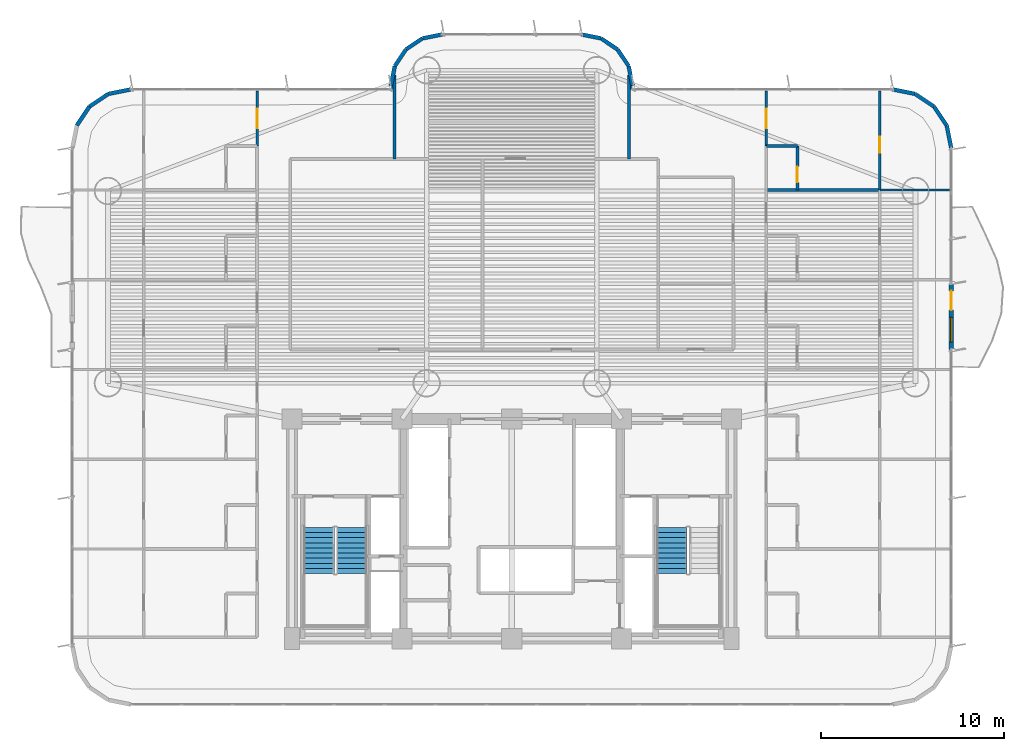
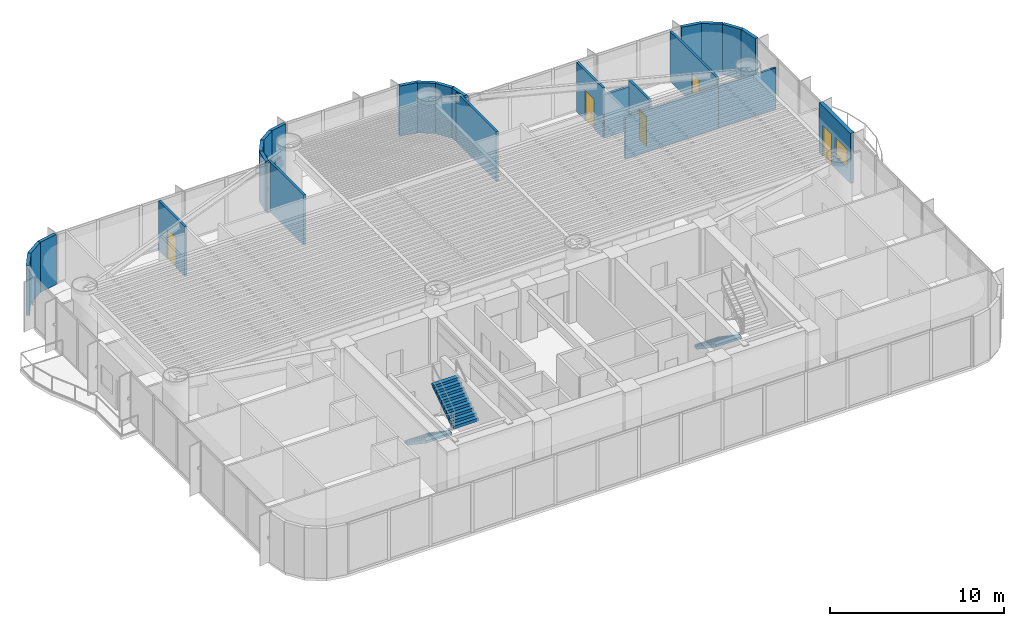
# One storey, part 14 of 19: 27 walls, 5 doors, 3 stair flights, 1 window, 6 openings, 2 elements without a shape of their own.
"""IFC4 building model written with IfcOpenShell, lengths in metres."""

from ifc_helpers import new_model, si_unit, direction, frame, frame_2d, origin, origin_2d, place, context, subcontext, project, spatial, polyline, rectangle, outline, extrude, source, transform, mapped, material, layer, layer_set, type_object, element, fill, aggregate, save


model = new_model("IFC4")

# Units and contexts
model_context = context("Model", 3, precision=1e-05, world=origin(), true_north=direction((0.0, 1.0)))
body_context = subcontext(model_context, "Body", "Model", "MODEL_VIEW")
ifc_project = project(units=[si_unit("LENGTHUNIT", "METRE"), si_unit("AREAUNIT", "SQUARE_METRE"), si_unit("VOLUMEUNIT", "CUBIC_METRE"), si_unit("PLANEANGLEUNIT", "RADIAN"), si_unit("MASSUNIT", "GRAM", prefix="KILO")], contexts=[model_context])

# Site, building, storey
site_placement = place(None, origin())
site = spatial("IfcSite", under=ifc_project, at=site_placement, CompositionType="ELEMENT")
building_placement = place(site_placement, origin())
building = spatial("IfcBuilding", under=site, at=building_placement, Name="Brelvock Crest Care Tower", CompositionType="ELEMENT")
storey_placement = place(building_placement, frame((0.0, 0.0, 68.580078125)))
storey = spatial("IfcBuildingStorey", under=building, at=storey_placement, Name="L17", CompositionType="ELEMENT", Elevation=68.580078125)

# Wall, openings, door, window
ifc_material_1 = material(Name="Precast concrete N40 (40 MPa)", Category="concrete")
ifc_layer_1 = layer(ifc_material_1, 0.239990234375, Name="WL-EX1")
ifc_layer_set_1 = layer_set([ifc_layer_1], Name="Precast concrete N40 (40 MPa)")
wall_type_1 = type_object("IfcWallType", Name="WL-EX1", PredefinedType="SOLIDWALL", material=ifc_layer_set_1)
wall_1_placement = place(storey_placement, frame((60.0, 25.39990234375, 0.0), z_axis=(0.0, 0.0, 1.0), x_axis=(0.0, -1.0, 0.0)))
wall_1 = element("IfcWall", 1, at=wall_1_placement, inside=storey, type_object=wall_type_1, Name="L17 Exterior Spandrel Wall WL-BAL-L17-E", PredefinedType="SOLIDWALL", context=body_context, shape_type="SweptSolid", body=[
    extrude(rectangle(XDim=3.599853515625, YDim=0.239990234375, at=frame_2d((1.7998046875, 0.0))), origin(), (0.0, 0.0, 1.0), 3.530029296875),
])
opening_1_placement = place(wall_1_placement, frame((0.39990234375, 0.0, 0.0)))
opening_1 = element("IfcOpeningElement", 2, at=opening_1_placement, cuts=wall_1, Name="Opening BD-1", PredefinedType="OPENING", context=body_context, shape_type="SweptSolid", body=[
    extrude(rectangle(XDim=1.050048828125, YDim=2.14990234375, at=origin_2d()), frame((0.52490234375, 0.1298828125, 1.074951171875), z_axis=(0.0, -1.0, 0.0), x_axis=(1.0, 0.0, 0.0)), (0.0, 0.0, 1.0), 0.260009765625),
])
opening_2_placement = place(wall_1_placement, frame((1.85009765625, 0.0, 0.85009765625)))
opening_2 = element("IfcOpeningElement", 3, at=opening_2_placement, cuts=wall_1, Name="Opening W-01", PredefinedType="OPENING", context=body_context, shape_type="SweptSolid", body=[
    extrude(rectangle(XDim=1.35009765625, YDim=1.35009765625, at=origin_2d()), frame((0.675048828125, 0.1298828125, 0.675048828125), z_axis=(0.0, -1.0, 0.0), x_axis=(1.0, 0.0, 0.0)), (0.0, 0.0, 1.0), 0.260009765625),
])
ifc_material_2 = material(Name="Dark Glass Double Glazed Low-E", Category="glass")
door_type_1 = type_object("IfcDoorType", Name="DR-BAL1", OperationType="NOTDEFINED", PredefinedType="DOOR", material=ifc_material_2)
shared_shape_1 = source(origin(), body_context, "Body", "SweptSolid", [
    extrude(rectangle(XDim=1.050048828125, YDim=2.14990234375, at=origin_2d()), frame((0.52490234375, 0.02490234375, 1.074951171875), z_axis=(0.0, -1.0, 0.0), x_axis=(1.0, 0.0, 0.0)), (0.0, 0.0, 1.0), 0.050048828125),
])
door_1_placement = place(opening_1_placement, origin())
door_1 = element("IfcDoor", 4, at=door_1_placement, inside=storey, type_object=door_type_1, Name="L17 E Wave Balcony Glazed Door", OperationType="SINGLE_SWING_RIGHT", OverallHeight=2.14990234375, OverallWidth=1.050048828125, PredefinedType="DOOR", context=body_context, shape_type="MappedRepresentation", body=[
    mapped(shared_shape_1, transform((0.0, 0.0, 0.0), x_axis=(1.0, 0.0, 0.0), y_axis=(0.0, 1.0, 0.0), z_axis=(0.0, 0.0, 1.0), scale=1.0)),
])
fill(opening_1, door_1)
window_type = type_object("IfcWindowType", Name="WN-EX1", PartitioningType="SINGLE_PANEL", PredefinedType="WINDOW", material=ifc_material_2)
shared_shape_2 = source(origin(), body_context, "Body", "SweptSolid", [
    extrude(rectangle(XDim=1.35009765625, YDim=1.35009765625, at=origin_2d()), frame((0.675048828125, 0.030029296875, 0.675048828125), z_axis=(0.0, -1.0, 0.0), x_axis=(1.0, 0.0, 0.0)), (0.0, 0.0, 1.0), 0.06005859375),
])
window_placement = place(opening_2_placement, origin())
window = element("IfcWindow", 5, at=window_placement, inside=storey, type_object=window_type, Name="L17 E Suite Casement Window", OverallHeight=1.35009765625, OverallWidth=1.35009765625, PartitioningType="SINGLE_PANEL", PredefinedType="WINDOW", context=body_context, shape_type="MappedRepresentation", body=[
    mapped(shared_shape_2, transform((0.0, 0.0, 0.0), x_axis=(1.0, 0.0, 0.0), y_axis=(0.0, 1.0, 0.0), z_axis=(0.0, 0.0, 1.0), scale=1.0)),
])
fill(opening_2, window)

# Walls
ifc_layer_2 = layer(ifc_material_1, 0.215087890625, Name="WL-EX2")
ifc_layer_set_2 = layer_set([ifc_layer_2], Name="Precast concrete N40 (40 MPa)")
wall_type_2 = type_object("IfcWallType", Name="WL-EX2", PredefinedType="SOLIDWALL", material=ifc_layer_set_2)
for number, where, z_axis, x_axis, name in (
    (6, (58.024658203125, 35.75634765625, 0.0), (0.0, 0.0, 1.0), (0.831478245117, -0.555557312883, 0.0), "L17 Rounded Corner Wall 00"),
    (7, (59.062744140625, 35.062744140625, 0.0), (0.0, 0.0, 1.0), (0.555557312883, -0.831478245117, 0.0), "L17 Rounded Corner Wall 01"),
    (8, (59.75634765625, 34.024658203125, 0.0), (0.0, 0.0, 1.0), (0.195138390419, -0.980775717779, 0.0), "L17 Rounded Corner Wall 02"),
    (9, (12.24365234375, 34.024658203125, 0.0), (0.0, 0.0, 1.0), (0.555557312883, 0.831478245117, 0.0), "L17 Rounded Corner Wall 15"),
    (10, (12.937255859375, 35.062744140625, 0.0), (0.0, 0.0, 1.0), (0.831478245117, 0.555557312883, 0.0), "L17 Rounded Corner Wall 16"),
    (11, (13.975341796875, 35.75634765625, 0.0), (0.0, 0.0, 1.0), (0.980775717779, 0.195138390419, 0.0), "L17 Rounded Corner Wall 17"),
):
    element("IfcWall", number, at=place(storey_placement, frame(where, z_axis=z_axis, x_axis=x_axis)), inside=storey, type_object=wall_type_2, Name=name, PredefinedType="SOLIDWALL", context=body_context, shape_type="SweptSolid", body=[
        extrude(rectangle(XDim=1.24853515625, YDim=0.215087890625, at=frame_2d((0.624267578125, 0.0))), origin(), (0.0, 0.0, 1.0), 3.530029296875),
    ])
wall_2_placement = place(storey_placement, frame((29.39990234375, 36.0, 0.0), z_axis=(0.0, 0.0, 1.0), x_axis=(0.0, 1.0, 0.0)))
element("IfcWall", 12, at=wall_2_placement, inside=storey, type_object=wall_type_2, Name="L17 Rounded Corner Wall 19", PredefinedType="SOLIDWALL", context=body_context, shape_type="SweptSolid", body=[
    extrude(rectangle(XDim=0.199951171875, YDim=0.215087890625, at=frame_2d((0.10009765625, 0.0))), origin(), (0.0, 0.0, 1.0), 3.530029296875),
])
wall_3_placement = place(storey_placement, frame((29.39990234375, 36.199951171875, 0.0), z_axis=(0.0, 0.0, 1.0), x_axis=(0.195084651288, 0.980786408364, 0.0)))
element("IfcWall", 13, at=wall_3_placement, inside=storey, type_object=wall_type_2, Name="L17 Rounded Corner Wall 20", PredefinedType="SOLIDWALL", context=body_context, shape_type="SweptSolid", body=[
    extrude(rectangle(XDim=1.092529296875, YDim=0.215087890625, at=frame_2d((0.54638671875, 0.0))), origin(), (0.0, 0.0, 1.0), 3.530029296875),
])
wall_4_placement = place(storey_placement, frame((29.613037109375, 37.271484375, 0.0), z_axis=(0.0, 0.0, 1.0), x_axis=(0.555679482341, 0.831396603857, 0.0)))
element("IfcWall", 14, at=wall_4_placement, inside=storey, type_object=wall_type_2, Name="L17 Rounded Corner Wall 21", PredefinedType="SOLIDWALL", context=body_context, shape_type="SweptSolid", body=[
    extrude(rectangle(XDim=1.0927734375, YDim=0.215087890625, at=frame_2d((0.54638671875, 0.0))), origin(), (0.0, 0.0, 1.0), 3.530029296875),
])
wall_5_placement = place(storey_placement, frame((30.22021484375, 38.179931640625, 0.0), z_axis=(0.0, 0.0, 1.0), x_axis=(0.831430845238, 0.555628247651, 0.0)))
element("IfcWall", 15, at=wall_5_placement, inside=storey, type_object=wall_type_2, Name="L17 Rounded Corner Wall 22", PredefinedType="SOLIDWALL", context=body_context, shape_type="SweptSolid", body=[
    extrude(rectangle(XDim=1.09228515625, YDim=0.215087890625, at=frame_2d((0.546142578125, 0.0))), origin(), (0.0, 0.0, 1.0), 3.530029296875),
])
for number, where, z_axis, x_axis, name in (
    (16, (31.12841796875, 38.786865234375, 0.0), (0.0, 0.0, 1.0), (0.980786408364, 0.195084651288, 0.0), "L17 Rounded Corner Wall 23"),
    (17, (39.800048828125, 39.0, 0.0), (0.0, 0.0, 1.0), (0.980786408364, -0.195084651288, 0.0), "L17 Rounded Corner Wall 25"),
):
    element("IfcWall", number, at=place(storey_placement, frame(where, z_axis=z_axis, x_axis=x_axis)), inside=storey, type_object=wall_type_2, Name=name, PredefinedType="SOLIDWALL", context=body_context, shape_type="SweptSolid", body=[
        extrude(rectangle(XDim=1.092529296875, YDim=0.215087890625, at=frame_2d((0.54638671875, 0.0))), origin(), (0.0, 0.0, 1.0), 3.530029296875),
    ])
wall_6_placement = place(storey_placement, frame((40.87158203125, 38.786865234375, 0.0), z_axis=(0.0, 0.0, 1.0), x_axis=(0.831430845238, -0.555628247651, 0.0)))
element("IfcWall", 18, at=wall_6_placement, inside=storey, type_object=wall_type_2, Name="L17 Rounded Corner Wall 26", PredefinedType="SOLIDWALL", context=body_context, shape_type="SweptSolid", body=[
    extrude(rectangle(XDim=1.09228515625, YDim=0.215087890625, at=frame_2d((0.546142578125, 0.0))), origin(), (0.0, 0.0, 1.0), 3.530029296875),
])
wall_7_placement = place(storey_placement, frame((41.77978515625, 38.179931640625, 0.0), z_axis=(0.0, 0.0, 1.0), x_axis=(0.555679482341, -0.831396603857, 0.0)))
element("IfcWall", 19, at=wall_7_placement, inside=storey, type_object=wall_type_2, Name="L17 Rounded Corner Wall 27", PredefinedType="SOLIDWALL", context=body_context, shape_type="SweptSolid", body=[
    extrude(rectangle(XDim=1.0927734375, YDim=0.215087890625, at=frame_2d((0.54638671875, 0.0))), origin(), (0.0, 0.0, 1.0), 3.530029296875),
])
wall_8_placement = place(storey_placement, frame((42.386962890625, 37.271484375, 0.0), z_axis=(0.0, 0.0, 1.0), x_axis=(0.195084651288, -0.980786408364, 0.0)))
element("IfcWall", 20, at=wall_8_placement, inside=storey, type_object=wall_type_2, Name="L17 Rounded Corner Wall 28", PredefinedType="SOLIDWALL", context=body_context, shape_type="SweptSolid", body=[
    extrude(rectangle(XDim=1.092529296875, YDim=0.215087890625, at=frame_2d((0.54638671875, 0.0))), origin(), (0.0, 0.0, 1.0), 3.530029296875),
])
wall_9_placement = place(storey_placement, frame((42.60009765625, 36.199951171875, 0.0), z_axis=(0.0, 0.0, 1.0), x_axis=(0.0, -1.0, 0.0)))
element("IfcWall", 21, at=wall_9_placement, inside=storey, type_object=wall_type_2, Name="L17 Rounded Corner Wall 29", PredefinedType="SOLIDWALL", context=body_context, shape_type="SweptSolid", body=[
    extrude(rectangle(XDim=0.199951171875, YDim=0.215087890625, at=frame_2d((0.10009765625, 0.0))), origin(), (0.0, 0.0, 1.0), 3.530029296875),
])
wall_10_placement = place(storey_placement, frame((56.800048828125, 36.0, 0.0), z_axis=(0.0, 0.0, 1.0), x_axis=(0.980775717779, -0.195138390419, 0.0)))
element("IfcWall", 22, at=wall_10_placement, inside=storey, type_object=wall_type_2, Name="L17 Rounded Corner Wall 31", PredefinedType="SOLIDWALL", context=body_context, shape_type="SweptSolid", body=[
    extrude(rectangle(XDim=1.24853515625, YDim=0.215087890625, at=frame_2d((0.624267578125, 0.0))), origin(), (0.0, 0.0, 1.0), 3.530029296875),
])
ifc_material_3 = material(Name="Masonry Blockwork Acoustic Partition", Category="masonry")
ifc_layer_3 = layer(ifc_material_3, 0.14990234375, Name="WL-INT1")
ifc_layer_set_3 = layer_set([ifc_layer_3], Name="Masonry Blockwork Acoustic Partition")
wall_type_3 = type_object("IfcWallType", Name="WL-INT1", PredefinedType="PARTITIONING", material=ifc_layer_set_3)
wall_11_placement = place(storey_placement, frame((49.89990234375, 30.5, 0.0), z_axis=(0.0, 0.0, 1.0), x_axis=(1.0, 0.0, 0.0)))
element("IfcWall", 23, at=wall_11_placement, inside=storey, type_object=wall_type_3, Name="L17 Interior Wall WL-BX-L17-CS-EC5-N", PredefinedType="PARTITIONING", context=body_context, shape_type="SweptSolid", body=[
    extrude(rectangle(XDim=6.2001953125, YDim=0.14990234375, at=frame_2d((3.10009765625, 0.0))), origin(), (0.0, 0.0, 1.0), 2.90283203125),
])

# Wall, opening, door
wall_12_placement = place(storey_placement, frame((22.10009765625, 32.89990234375, 0.0), z_axis=(0.0, 0.0, 1.0), x_axis=(0.0, 1.0, 0.0)))
wall_12 = element("IfcWall", 24, at=wall_12_placement, inside=storey, type_object=wall_type_3, Name="L17 Interior Wall WL-CENT-L17-WC6", PredefinedType="PARTITIONING", context=body_context, shape_type="SweptSolid", body=[
    extrude(rectangle(XDim=3.020751953125, YDim=0.14990234375, at=frame_2d((1.51025390625, 0.0))), origin(), (0.0, 0.0, 1.0), 3.5),
])
opening_3_placement = place(wall_12_placement, frame((0.989990234375, 0.0, 0.0)))
opening_3 = element("IfcOpeningElement", 25, at=opening_3_placement, cuts=wall_12, Name="Opening CD-1", PredefinedType="OPENING", context=body_context, shape_type="SweptSolid", body=[
    extrude(rectangle(XDim=1.050048828125, YDim=2.10009765625, at=origin_2d()), frame((0.52490234375, 0.0849609375, 1.050048828125), z_axis=(0.0, -1.0, 0.0), x_axis=(1.0, 0.0, 0.0)), (0.0, 0.0, 1.0), 0.169921875),
])
ifc_material_4 = material(Name="Engineered Hardwood Timber", Category="wood")
door_type_2 = type_object("IfcDoorType", Name="DR-CARE1", OperationType="NOTDEFINED", PredefinedType="DOOR", material=ifc_material_4)
shared_shape_3 = source(origin(), body_context, "Body", "SweptSolid", [
    extrude(rectangle(XDim=1.050048828125, YDim=2.10009765625, at=origin_2d()), frame((0.52490234375, 0.02490234375, 1.050048828125), z_axis=(0.0, -1.0, 0.0), x_axis=(1.0, 0.0, 0.0)), (0.0, 0.0, 1.0), 0.050048828125),
])
door_2_placement = place(opening_3_placement, origin())
door_2 = element("IfcDoor", 26, at=door_2_placement, inside=storey, type_object=door_type_2, Name="L17 Care Suite Door WC6", OperationType="SINGLE_SWING_LEFT", OverallHeight=2.10009765625, OverallWidth=1.050048828125, PredefinedType="DOOR", context=body_context, shape_type="MappedRepresentation", body=[
    mapped(shared_shape_3, transform((0.0, 0.0, 0.0), x_axis=(1.0, 0.0, 0.0), y_axis=(0.0, 1.0, 0.0), z_axis=(0.0, 0.0, 1.0), scale=1.0)),
])
fill(opening_3, door_2)

# Walls
for number, where, z_axis, x_axis, name in (
    (27, (29.60009765625, 32.199951171875, 0.0), (0.0, 0.0, 1.0), (0.0, 1.0, 0.0), "L17 Interior Wall WL-BX-L17-NHUB-W"),
    (28, (42.39990234375, 32.199951171875, 0.0), (0.0, 0.0, 1.0), (0.0, 1.0, 0.0), "L17 Interior Wall WL-BX-L17-NHUB-E"),
):
    element("IfcWall", number, at=place(storey_placement, frame(where, z_axis=z_axis, x_axis=x_axis)), inside=storey, type_object=wall_type_3, Name=name, PredefinedType="PARTITIONING", context=body_context, shape_type="SweptSolid", body=[
        extrude(rectangle(XDim=4.595458984375, YDim=0.14990234375, at=frame_2d((2.2978515625, 0.0))), origin(), (0.0, 0.0, 1.0), 3.5),
    ])

# Wall, opening, door
wall_13_placement = place(storey_placement, frame((49.89990234375, 32.89990234375, 0.0), z_axis=(0.0, 0.0, 1.0), x_axis=(0.0, 1.0, 0.0)))
wall_13 = element("IfcWall", 29, at=wall_13_placement, inside=storey, type_object=wall_type_3, Name="L17 Interior Wall WL-CENT-L17-EC6", PredefinedType="PARTITIONING", context=body_context, shape_type="SweptSolid", body=[
    extrude(rectangle(XDim=3.020263671875, YDim=0.14990234375, at=frame_2d((1.51025390625, 0.0))), origin(), (0.0, 0.0, 1.0), 3.5),
])
opening_4_placement = place(wall_13_placement, frame((0.989990234375, 0.0, 0.0)))
opening_4 = element("IfcOpeningElement", 30, at=opening_4_placement, cuts=wall_13, Name="Opening CD-1", PredefinedType="OPENING", context=body_context, shape_type="SweptSolid", body=[
    extrude(rectangle(XDim=1.050048828125, YDim=2.10009765625, at=origin_2d()), frame((0.52490234375, 0.0849609375, 1.050048828125), z_axis=(0.0, -1.0, 0.0), x_axis=(1.0, 0.0, 0.0)), (0.0, 0.0, 1.0), 0.169921875),
])
door_3_placement = place(opening_4_placement, origin())
door_3 = element("IfcDoor", 31, at=door_3_placement, inside=storey, type_object=door_type_2, Name="L17 Care Suite Door EC6", OperationType="SINGLE_SWING_LEFT", OverallHeight=2.10009765625, OverallWidth=1.050048828125, PredefinedType="DOOR", context=body_context, shape_type="MappedRepresentation", body=[
    mapped(shared_shape_3, transform((0.0, 0.0, 0.0), x_axis=(1.0, 0.0, 0.0), y_axis=(0.0, 1.0, 0.0), z_axis=(0.0, 0.0, 1.0), scale=1.0)),
])
fill(opening_4, door_3)

wall_14_placement = place(storey_placement, frame((56.10009765625, 30.5, 0.0), z_axis=(0.0, 0.0, 1.0), x_axis=(0.0, 1.0, 0.0)))
wall_14 = element("IfcWall", 32, at=wall_14_placement, inside=storey, type_object=wall_type_3, Name="L17 Interior Wall WL-RM-L17-EC6S", PredefinedType="PARTITIONING", context=body_context, shape_type="SweptSolid", body=[
    extrude(rectangle(XDim=5.419921875, YDim=0.14990234375, at=frame_2d((2.7099609375, 0.0))), origin(), (0.0, 0.0, 1.0), 3.5),
])
opening_5_placement = place(wall_14_placement, frame((2.0400390625, 0.0, 0.0)))
opening_5 = element("IfcOpeningElement", 33, at=opening_5_placement, cuts=wall_14, Name="Opening ID-1", PredefinedType="OPENING", context=body_context, shape_type="SweptSolid", body=[
    extrude(rectangle(XDim=0.860107421875, YDim=2.10009765625, at=origin_2d()), frame((0.43017578125, 0.0849609375, 1.050048828125), z_axis=(0.0, -1.0, 0.0), x_axis=(1.0, 0.0, 0.0)), (0.0, 0.0, 1.0), 0.169921875),
])
door_type_3 = type_object("IfcDoorType", Name="DR-INT1", OperationType="NOTDEFINED", PredefinedType="DOOR", material=ifc_material_4)
shared_shape_4 = source(origin(), body_context, "Body", "SweptSolid", [
    extrude(rectangle(XDim=0.860107421875, YDim=2.10009765625, at=origin_2d()), frame((0.43017578125, 0.02490234375, 1.050048828125), z_axis=(0.0, -1.0, 0.0), x_axis=(1.0, 0.0, 0.0)), (0.0, 0.0, 1.0), 0.050048828125),
])
door_4_placement = place(opening_5_placement, origin())
door_4 = element("IfcDoor", 34, at=door_4_placement, inside=storey, type_object=door_type_3, Name="L17 Skilled Nursing Mobility Store Door EC6S", OperationType="SINGLE_SWING_LEFT", OverallHeight=2.10009765625, OverallWidth=0.860107421875, PredefinedType="DOOR", context=body_context, shape_type="MappedRepresentation", body=[
    mapped(shared_shape_4, transform((0.0, 0.0, 0.0), x_axis=(1.0, 0.0, 0.0), y_axis=(0.0, 1.0, 0.0), z_axis=(0.0, 0.0, 1.0), scale=1.0)),
])
fill(opening_5, door_4)

# Walls
ifc_material_5 = material(Name="Gypsum Plasterboard Partition", Category="gypsum")
ifc_layer_4 = layer(ifc_material_5, 0.1201171875, Name="WL-INT2")
ifc_layer_set_4 = layer_set([ifc_layer_4], Name="Gypsum Plasterboard Partition")
wall_type_4 = type_object("IfcWallType", Name="WL-INT2", PredefinedType="PARTITIONING", material=ifc_layer_set_4)
wall_15_placement = place(storey_placement, frame((56.10009765625, 30.5, 0.0), z_axis=(0.0, 0.0, 1.0), x_axis=(1.0, 0.0, 0.0)))
element("IfcWall", 35, at=wall_15_placement, inside=storey, type_object=wall_type_4, Name="L17 Interior Wall WL-BX-L17-EC5S-N", PredefinedType="PARTITIONING", context=body_context, shape_type="SweptSolid", body=[
    extrude(rectangle(XDim=3.81982421875, YDim=0.1201171875, at=frame_2d((1.909912109375, 0.0))), origin(), (0.0, 0.0, 1.0), 2.90283203125),
])
ifc_layer_5 = layer(ifc_material_5, 0.159912109375, Name="WL-PLM1")
ifc_layer_set_5 = layer_set([ifc_layer_5], Name="Gypsum Plasterboard Partition")
wall_type_5 = type_object("IfcWallType", Name="WL-PLM1", PredefinedType="PLUMBINGWALL", material=ifc_layer_set_5)
wall_16_placement = place(storey_placement, frame((49.89990234375, 32.89990234375, 0.0), z_axis=(0.0, 0.0, 1.0), x_axis=(1.0, 0.0, 0.0)))
element("IfcWall", 36, at=wall_16_placement, inside=storey, type_object=wall_type_5, Name="L17 Interior Wall WL-CENS2-L17-EC6", PredefinedType="PLUMBINGWALL", context=body_context, shape_type="SweptSolid", body=[
    extrude(rectangle(XDim=1.7001953125, YDim=0.159912109375, at=frame_2d((0.85009765625, 0.0))), origin(), (0.0, 0.0, 1.0), 3.054931640625),
])

# Wall, opening, door
wall_17_placement = place(storey_placement, frame((51.60009765625, 30.5, 0.0), z_axis=(0.0, 0.0, 1.0), x_axis=(0.0, 1.0, 0.0)))
wall_17 = element("IfcWall", 37, at=wall_17_placement, inside=storey, type_object=wall_type_5, Name="L17 Interior Wall WL-CENS1-L17-EC6", PredefinedType="PLUMBINGWALL", context=body_context, shape_type="SweptSolid", body=[
    extrude(rectangle(XDim=2.39990234375, YDim=0.159912109375, at=frame_2d((1.199951171875, 0.0))), origin(), (0.0, 0.0, 1.0), 3.5),
])
opening_6_placement = place(wall_17_placement, frame((0.419921875, 0.0, 0.0)))
opening_6 = element("IfcOpeningElement", 38, at=opening_6_placement, cuts=wall_17, Name="Opening WD-1", PredefinedType="OPENING", context=body_context, shape_type="SweptSolid", body=[
    extrude(rectangle(XDim=0.860107421875, YDim=2.10009765625, at=origin_2d()), frame((0.43017578125, 0.08984375, 1.050048828125), z_axis=(0.0, -1.0, 0.0), x_axis=(1.0, 0.0, 0.0)), (0.0, 0.0, 1.0), 0.179931640625),
])
door_type_4 = type_object("IfcDoorType", Name="DR-WC1", OperationType="NOTDEFINED", PredefinedType="DOOR", material=ifc_material_4)
shared_shape_5 = source(origin(), body_context, "Body", "SweptSolid", [
    extrude(rectangle(XDim=0.860107421875, YDim=2.10009765625, at=origin_2d()), frame((0.43017578125, 0.02490234375, 1.050048828125), z_axis=(0.0, -1.0, 0.0), x_axis=(1.0, 0.0, 0.0)), (0.0, 0.0, 1.0), 0.050048828125),
])
door_5_placement = place(opening_6_placement, origin())
door_5 = element("IfcDoor", 39, at=door_5_placement, inside=storey, type_object=door_type_4, Name="L17 Care En-Suite Door EC6", OperationType="SINGLE_SWING_RIGHT", OverallHeight=2.10009765625, OverallWidth=0.860107421875, PredefinedType="DOOR", context=body_context, shape_type="MappedRepresentation", body=[
    mapped(shared_shape_5, transform((0.0, 0.0, 0.0), x_axis=(1.0, 0.0, 0.0), y_axis=(0.0, 1.0, 0.0), z_axis=(0.0, 0.0, 1.0), scale=1.0)),
])
fill(opening_6, door_5)

# Stair, stair flights
ifc_material_6 = material(Name="Concrete N40 (40 MPa)", Category="concrete")
stair_type = type_object("IfcStairType", Name="ST-CORE1", PredefinedType="HALF_TURN_STAIR", material=ifc_material_6)
stair_1_placement = place(storey_placement, origin())
stair_1 = element("IfcStair", 40, at=stair_1_placement, inside=storey, type_object=stair_type, Name="L17 Fire-Isolated Core Stair ST-1", PredefinedType="HALF_TURN_STAIR")
stair_flight_type = type_object("IfcStairFlightType", Name="STF-1", PredefinedType="STRAIGHT", material=ifc_material_6)
stair_flight_1_placement = place(storey_placement, frame((25.469970703125, 12.080078125, 0.0), z_axis=(0.0, 0.0, 1.0), x_axis=(0.0, -1.0, 0.0)))
stair_flight_1 = element("IfcStairFlight", 41, at=stair_flight_1_placement, type_object=stair_flight_type, Name="ST-1 flight 1", NumberOfRisers=10, NumberOfTreads=9, PredefinedType="STRAIGHT", RiserHeight=0.189, TreadLength=0.28, context=body_context, shape_type="SweptSolid", body=[
    extrude(outline(polyline([(-0.00390625, -0.014892578125), (-0.00390625, -0.0078125), (-0.00390625, -0.00048828125), (-0.00390625, 0.0068359375), (-0.00390625, 0.01416015625), (-0.00390625, 0.021484375), (-0.00390625, 0.02880859375), (-0.00390625, 0.035888671875), (-0.00390625, 0.043212890625), (-0.00390625, 0.050537109375), (-0.00390625, 0.057861328125), (-0.00390625, 0.065185546875), (-0.00390625, 0.072509765625), (-0.00390625, 0.07958984375), (-0.00390625, 0.0869140625), (-0.00390625, 0.09423828125), (-0.00390625, 0.1015625), (-0.00390625, 0.10888671875), (-0.00390625, 0.1162109375), (-0.00390625, 0.12353515625), (-0.00390625, 0.130615234375), (-0.00390625, 0.137939453125), (-0.00390625, 0.145263671875), (-0.00390625, 0.152587890625), (-0.00390625, 0.159912109375), (-0.00390625, 0.167236328125), (-0.00390625, 0.17431640625), (-0.00390625, 0.181640625), (-0.00390625, 0.18896484375), (0.0, 0.18896484375), (0.280029296875, 0.18896484375), (0.280029296875, 0.3779296875), (0.56005859375, 0.3779296875), (0.56005859375, 0.56689453125), (0.840087890625, 0.56689453125), (0.840087890625, 0.756103515625), (1.1201171875, 0.756103515625), (1.1201171875, 0.945068359375), (1.39990234375, 0.945068359375), (1.39990234375, 1.134033203125), (1.679931640625, 1.134033203125), (1.679931640625, 1.322998046875), (1.9599609375, 1.322998046875), (1.9599609375, 1.511962890625), (2.239990234375, 1.511962890625), (2.239990234375, 1.700927734375), (2.52001953125, 1.700927734375), (2.52392578125, 1.700927734375), (2.523681640625, 1.70068359375), (2.52392578125, 1.700439453125), (2.523681640625, 1.699951171875), (2.52392578125, 1.69970703125), (2.523681640625, 1.699462890625), (2.52392578125, 1.698974609375), (2.523681640625, 1.69873046875), (2.52392578125, 1.698486328125), (2.523681640625, 1.697998046875), (2.52392578125, 1.69775390625), (2.523681640625, 1.697509765625), (2.52392578125, 1.697021484375), (2.523681640625, 1.69677734375), (2.52392578125, 1.696533203125), (2.523681640625, 1.6962890625), (2.52392578125, 1.69580078125), (2.523681640625, 1.695556640625), (2.52392578125, 1.6953125), (2.523681640625, 1.69482421875), (2.52392578125, 1.694580078125), (2.523681640625, 1.6943359375), (2.52392578125, 1.69384765625), (2.523681640625, 1.693603515625), (2.52392578125, 1.693359375), (2.523681640625, 1.69287109375), (2.52392578125, 1.692626953125), (2.523681640625, 1.6923828125), (2.52392578125, 1.69189453125), (2.52001953125, 1.520263671875), (0.267822265625, 0.0), (0.0, 0.0), (0.0, -0.014892578125), (-0.00390625, -0.014892578125)])), frame((0.0, 0.83984375, 0.0), z_axis=(0.0, -1.0, 0.0), x_axis=(1.0, 0.0, 0.0)), (0.0, 0.0, 1.0), 1.679931640625),
])
stair_flight_2_placement = place(storey_placement, frame((27.27001953125, 9.56005859375, 1.889892578125), z_axis=(0.0, 0.0, 1.0), x_axis=(0.0, 1.0, 0.0)))
stair_flight_2 = element("IfcStairFlight", 42, at=stair_flight_2_placement, type_object=stair_flight_type, Name="ST-1 flight 2", NumberOfRisers=10, NumberOfTreads=9, PredefinedType="STRAIGHT", RiserHeight=0.189, TreadLength=0.28, context=body_context, shape_type="SweptSolid", body=[
    extrude(outline(polyline([(-0.00390625, -0.014892578125), (-0.00390625, -0.0078125), (-0.00390625, -0.00048828125), (-0.00390625, 0.0068359375), (-0.00390625, 0.01416015625), (-0.00390625, 0.021484375), (-0.00390625, 0.02880859375), (-0.00390625, 0.035888671875), (-0.00390625, 0.043212890625), (-0.00390625, 0.050537109375), (-0.00390625, 0.057861328125), (-0.00390625, 0.065185546875), (-0.00390625, 0.072509765625), (-0.00390625, 0.07958984375), (-0.00390625, 0.0869140625), (-0.00390625, 0.09423828125), (-0.00390625, 0.1015625), (-0.00390625, 0.10888671875), (-0.00390625, 0.1162109375), (-0.00390625, 0.12353515625), (-0.00390625, 0.130615234375), (-0.00390625, 0.137939453125), (-0.00390625, 0.145263671875), (-0.00390625, 0.152587890625), (-0.00390625, 0.159912109375), (-0.00390625, 0.167236328125), (-0.00390625, 0.17431640625), (-0.00390625, 0.181640625), (-0.00390625, 0.18896484375), (0.0, 0.18896484375), (0.280029296875, 0.18896484375), (0.280029296875, 0.3779296875), (0.56005859375, 0.3779296875), (0.56005859375, 0.56689453125), (0.840087890625, 0.56689453125), (0.840087890625, 0.756103515625), (1.1201171875, 0.756103515625), (1.1201171875, 0.945068359375), (1.39990234375, 0.945068359375), (1.39990234375, 1.134033203125), (1.679931640625, 1.134033203125), (1.679931640625, 1.322998046875), (1.9599609375, 1.322998046875), (1.9599609375, 1.511962890625), (2.239990234375, 1.511962890625), (2.239990234375, 1.700927734375), (2.52001953125, 1.700927734375), (2.52392578125, 1.700927734375), (2.523681640625, 1.70068359375), (2.52392578125, 1.700439453125), (2.523681640625, 1.699951171875), (2.52392578125, 1.69970703125), (2.523681640625, 1.699462890625), (2.52392578125, 1.698974609375), (2.523681640625, 1.69873046875), (2.52392578125, 1.698486328125), (2.523681640625, 1.697998046875), (2.52392578125, 1.69775390625), (2.523681640625, 1.697509765625), (2.52392578125, 1.697021484375), (2.523681640625, 1.69677734375), (2.52392578125, 1.696533203125), (2.523681640625, 1.6962890625), (2.52392578125, 1.69580078125), (2.523681640625, 1.695556640625), (2.52392578125, 1.6953125), (2.523681640625, 1.69482421875), (2.52392578125, 1.694580078125), (2.523681640625, 1.6943359375), (2.52392578125, 1.69384765625), (2.523681640625, 1.693603515625), (2.52392578125, 1.693359375), (2.523681640625, 1.69287109375), (2.52392578125, 1.692626953125), (2.523681640625, 1.6923828125), (2.52392578125, 1.69189453125), (2.52001953125, 1.520263671875), (0.267822265625, 0.0), (0.0, 0.0), (0.0, -0.014892578125), (-0.00390625, -0.014892578125)])), frame((0.0, 0.83984375, 0.0), z_axis=(0.0, -1.0, 0.0), x_axis=(1.0, 0.0, 0.0)), (0.0, 0.0, 1.0), 1.679931640625),
])
aggregate(stair_1, [stair_flight_1, stair_flight_2])

# Stair, stair flight
stair_2_placement = place(storey_placement, origin())
stair_2 = element("IfcStair", 43, at=stair_2_placement, inside=storey, type_object=stair_type, Name="L17 Fire-Isolated Core Stair ST-2", PredefinedType="HALF_TURN_STAIR")
stair_flight_3_placement = place(storey_placement, frame((44.72998046875, 12.080078125, 0.0), z_axis=(0.0, 0.0, 1.0), x_axis=(0.0, -1.0, 0.0)))
stair_flight_3 = element("IfcStairFlight", 44, at=stair_flight_3_placement, type_object=stair_flight_type, Name="ST-2 flight 1", NumberOfRisers=10, NumberOfTreads=9, PredefinedType="STRAIGHT", RiserHeight=0.189, TreadLength=0.28, context=body_context, shape_type="SweptSolid", body=[
    extrude(outline(polyline([(-0.00390625, -0.014892578125), (-0.00390625, -0.0078125), (-0.00390625, -0.00048828125), (-0.00390625, 0.0068359375), (-0.00390625, 0.01416015625), (-0.00390625, 0.021484375), (-0.00390625, 0.02880859375), (-0.00390625, 0.035888671875), (-0.00390625, 0.043212890625), (-0.00390625, 0.050537109375), (-0.00390625, 0.057861328125), (-0.00390625, 0.065185546875), (-0.00390625, 0.072509765625), (-0.00390625, 0.07958984375), (-0.00390625, 0.0869140625), (-0.00390625, 0.09423828125), (-0.00390625, 0.1015625), (-0.00390625, 0.10888671875), (-0.00390625, 0.1162109375), (-0.00390625, 0.12353515625), (-0.00390625, 0.130615234375), (-0.00390625, 0.137939453125), (-0.00390625, 0.145263671875), (-0.00390625, 0.152587890625), (-0.00390625, 0.159912109375), (-0.00390625, 0.167236328125), (-0.00390625, 0.17431640625), (-0.00390625, 0.181640625), (-0.00390625, 0.18896484375), (0.0, 0.18896484375), (0.280029296875, 0.18896484375), (0.280029296875, 0.3779296875), (0.56005859375, 0.3779296875), (0.56005859375, 0.56689453125), (0.840087890625, 0.56689453125), (0.840087890625, 0.756103515625), (1.1201171875, 0.756103515625), (1.1201171875, 0.945068359375), (1.39990234375, 0.945068359375), (1.39990234375, 1.134033203125), (1.679931640625, 1.134033203125), (1.679931640625, 1.322998046875), (1.9599609375, 1.322998046875), (1.9599609375, 1.511962890625), (2.239990234375, 1.511962890625), (2.239990234375, 1.700927734375), (2.52001953125, 1.700927734375), (2.52392578125, 1.700927734375), (2.523681640625, 1.70068359375), (2.52392578125, 1.700439453125), (2.523681640625, 1.699951171875), (2.52392578125, 1.69970703125), (2.523681640625, 1.699462890625), (2.52392578125, 1.698974609375), (2.523681640625, 1.69873046875), (2.52392578125, 1.698486328125), (2.523681640625, 1.697998046875), (2.52392578125, 1.69775390625), (2.523681640625, 1.697509765625), (2.52392578125, 1.697021484375), (2.523681640625, 1.69677734375), (2.52392578125, 1.696533203125), (2.523681640625, 1.6962890625), (2.52392578125, 1.69580078125), (2.523681640625, 1.695556640625), (2.52392578125, 1.6953125), (2.523681640625, 1.69482421875), (2.52392578125, 1.694580078125), (2.523681640625, 1.6943359375), (2.52392578125, 1.69384765625), (2.523681640625, 1.693603515625), (2.52392578125, 1.693359375), (2.523681640625, 1.69287109375), (2.52392578125, 1.692626953125), (2.523681640625, 1.6923828125), (2.52392578125, 1.69189453125), (2.52001953125, 1.520263671875), (0.267822265625, 0.0), (0.0, 0.0), (0.0, -0.014892578125), (-0.00390625, -0.014892578125)])), frame((0.0, 0.83984375, 0.0), z_axis=(0.0, -1.0, 0.0), x_axis=(1.0, 0.0, 0.0)), (0.0, 0.0, 1.0), 1.679931640625),
])
aggregate(stair_2, [stair_flight_3])

save(model, "model.ifc")
